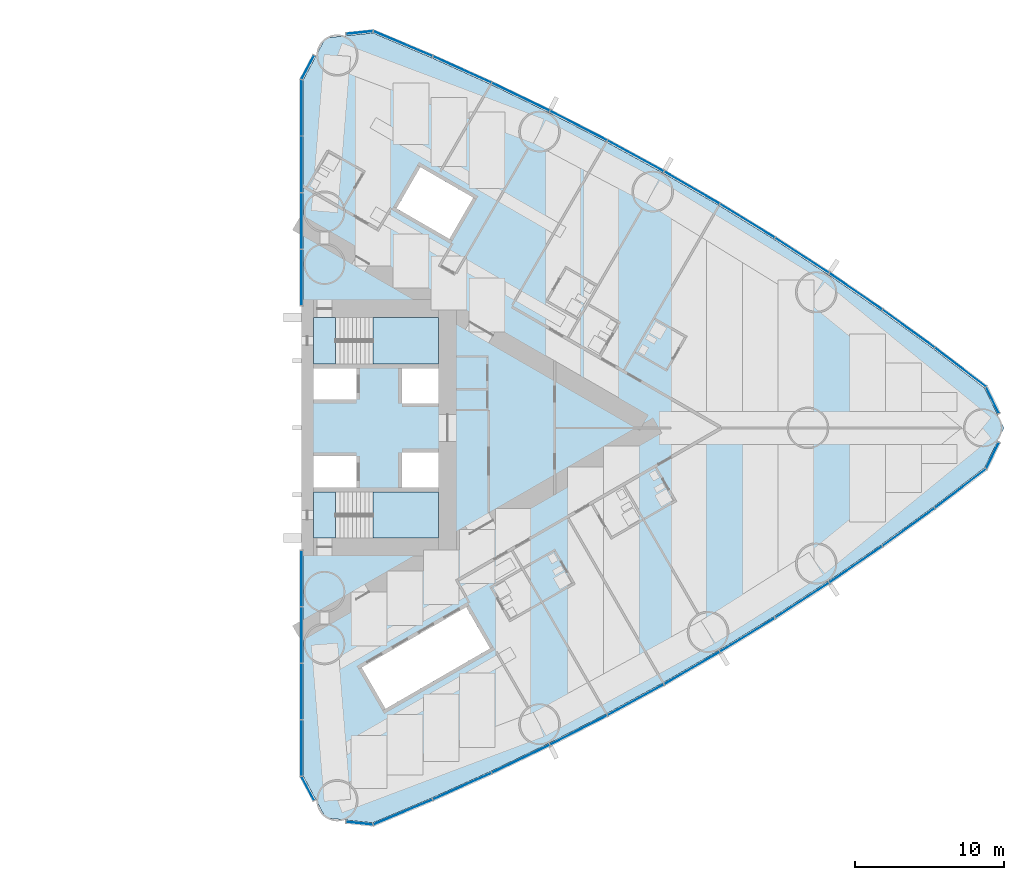
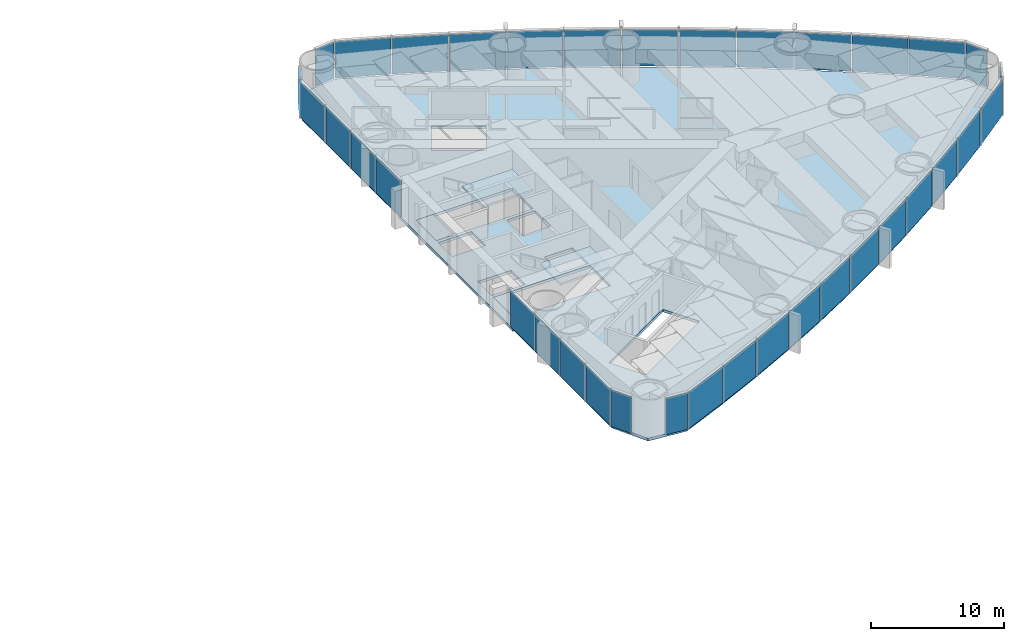
# One storey, part 10 of 19: 36 plates, 5 slabs, 6 elements without a shape of their own.
"""IFC4 building model written with IfcOpenShell, lengths in metres."""

from ifc_helpers import new_model, si_unit, direction, frame, origin, origin_2d, place, context, subcontext, project, spatial, polyline, rectangle, outline, extrude, material, layer, layer_set, type_object, element, aggregate, save


model = new_model("IFC4")

# Units and contexts
model_context = context("Model", 3, precision=1e-05, world=origin(), true_north=direction((0.0, 1.0)))
body_context = subcontext(model_context, "Body", "Model", "MODEL_VIEW")
ifc_project = project(units=[si_unit("LENGTHUNIT", "METRE"), si_unit("AREAUNIT", "SQUARE_METRE"), si_unit("VOLUMEUNIT", "CUBIC_METRE"), si_unit("PLANEANGLEUNIT", "RADIAN"), si_unit("MASSUNIT", "GRAM", prefix="KILO")], contexts=[model_context])

# Site, building, storey
site_placement = place(None, origin())
site = spatial("IfcSite", under=ifc_project, at=site_placement, CompositionType="ELEMENT")
building_placement = place(site_placement, origin())
building = spatial("IfcBuilding", under=site, at=building_placement, Name="Lancet Gate Hotel", CompositionType="ELEMENT")
storey_placement = place(building_placement, frame((0.0, 0.0, 35.5)))
storey = spatial("IfcBuildingStorey", under=building, at=storey_placement, Name="L08", CompositionType="ELEMENT", Elevation=35.5)

# Slab
ifc_material_1 = material(Name="Concrete C50/60", Category="concrete")
ifc_layer_1 = layer(ifc_material_1, 0.25)
ifc_layer_set_1 = layer_set([ifc_layer_1], Name="Floor slab 250")
slab_type_1 = type_object("IfcSlabType", Name="Floor slab 250", PredefinedType="FLOOR", material=ifc_layer_set_1)
slab_1_placement = place(storey_placement, frame((0.0, 0.0, -0.25)))
element("IfcSlab", 1, at=slab_1_placement, inside=storey, type_object=slab_type_1, Name="T2 L08 floor slab", PredefinedType="FLOOR", context=body_context, shape_type="SweptSolid", body=[
    extrude(outline(polyline([(27.5, -8.60009765625), (27.6201171875, -8.60009765625), (27.6201171875, -23.35498046875), (29.12158203125, -26.175537109375), (32.299072265625, -26.5048828125), (36.26708984375, -24.833740234375), (40.2177734375, -23.050048828125), (44.121826171875, -21.16650390625), (47.9765625, -19.18408203125), (51.77978515625, -17.104248046875), (55.528564453125, -14.92822265625), (59.220947265625, -12.657470703125), (62.854248046875, -10.29345703125), (66.42626953125, -7.837890625), (69.934814453125, -5.292236328125), (73.355712890625, -2.67431640625), (74.65576171875, 0.0), (73.355712890625, 2.67431640625), (69.934814453125, 5.292236328125), (66.42626953125, 7.837890625), (62.854248046875, 10.29345703125), (59.220947265625, 12.657470703125), (55.528564453125, 14.92822265625), (51.77978515625, 17.104248046875), (47.9765625, 19.18408203125), (44.121826171875, 21.16650390625), (40.2177734375, 23.050048828125), (36.26708984375, 24.833740234375), (32.299072265625, 26.5048828125), (29.12158203125, 26.175537109375), (27.6201171875, 23.35498046875), (27.6201171875, 8.60009765625), (27.5, 8.60009765625), (27.5, 8.199951171875), (27.5, -8.199951171875), (27.5, -8.60009765625)]), holes=[polyline([(36.699951171875, -7.39990234375), (36.699951171875, -4.300048828125), (28.300048828125, -4.300048828125), (28.300048828125, -7.39990234375), (36.699951171875, -7.39990234375)]), polyline([(28.300048828125, -4.0), (31.199951171875, -4.0), (31.199951171875, -1.89990234375), (28.300048828125, -1.89990234375), (28.300048828125, -4.0)]), polyline([(34.25, -4.0), (36.699951171875, -4.0), (36.699951171875, -1.64990234375), (34.25, -1.64990234375), (34.25, -4.0)]), polyline([(36.699951171875, 1.64990234375), (36.699951171875, 4.0), (34.25, 4.0), (34.25, 1.64990234375), (36.699951171875, 1.64990234375)]), polyline([(28.300048828125, 1.89990234375), (31.199951171875, 1.89990234375), (31.199951171875, 4.0), (28.300048828125, 4.0), (28.300048828125, 1.89990234375)]), polyline([(28.300048828125, 4.300048828125), (36.699951171875, 4.300048828125), (36.699951171875, 7.39990234375), (28.300048828125, 7.39990234375), (28.300048828125, 4.300048828125)]), polyline([(31.549072265625, -16.0810546875), (33.14892578125, -18.85205078125), (40.1640625, -14.802001953125), (38.56396484375, -12.031005859375), (31.549072265625, -16.0810546875)]), polyline([(33.887939453125, 14.73095703125), (37.43798828125, 12.680908203125), (39.0380859375, 15.451904296875), (35.488037109375, 17.501953125), (33.887939453125, 14.73095703125)])]), origin(), (0.0, 0.0, 1.0), 0.25),
])

# Stair, slabs
ifc_material_2 = material(Name="Exit stair 20 risers 1500")
stair_type = type_object("IfcStairType", Name="Exit stair 20 risers 1500", PredefinedType="HALF_TURN_STAIR", material=ifc_material_2)
stair_1_placement = place(storey_placement, origin())
stair_1 = element("IfcStair", 2, at=stair_1_placement, inside=storey, type_object=stair_type, Name="T2 stair 1 L08", PredefinedType="HALF_TURN_STAIR")
ifc_material_3 = material(Name="Concrete C40/50", Category="concrete")
ifc_layer_2 = layer(ifc_material_3, 0.199951171875)
ifc_layer_set_2 = layer_set([ifc_layer_2], Name="Stair landing 200")
slab_type_2 = type_object("IfcSlabType", Name="Stair landing 200", PredefinedType="LANDING", material=ifc_layer_set_2)
slab_2_placement = place(storey_placement, frame((0.0, 0.0, -0.199951171875)))
slab_2 = element("IfcSlab", 3, at=slab_2_placement, type_object=slab_type_2, Name="ST3 landing 1", PredefinedType="LANDING", context=body_context, shape_type="SweptSolid", body=[
    extrude(outline(polyline([(28.300048828125, -7.39990234375), (29.800048828125, -7.39990234375), (29.800048828125, -4.300048828125), (28.300048828125, -4.300048828125), (28.300048828125, -7.39990234375)])), origin(), (0.0, 0.0, 1.0), 0.199951171875),
])
slab_3_placement = place(storey_placement, frame((0.0, 0.0, 1.550048828125)))
slab_3 = element("IfcSlab", 4, at=slab_3_placement, type_object=slab_type_2, Name="ST3 landing 2", PredefinedType="LANDING", context=body_context, shape_type="SweptSolid", body=[
    extrude(outline(polyline([(32.320068359375, -7.39990234375), (36.699951171875, -7.39990234375), (36.699951171875, -4.300048828125), (32.320068359375, -4.300048828125), (32.320068359375, -7.39990234375)])), origin(), (0.0, 0.0, 1.0), 0.199951171875),
])
aggregate(stair_1, [slab_2, slab_3])

stair_2_placement = place(storey_placement, origin())
stair_2 = element("IfcStair", 5, at=stair_2_placement, inside=storey, type_object=stair_type, Name="T2 stair 2 L08", PredefinedType="HALF_TURN_STAIR")
slab_4_placement = place(storey_placement, frame((0.0, 0.0, -0.199951171875)))
slab_4 = element("IfcSlab", 6, at=slab_4_placement, type_object=slab_type_2, Name="ST4 landing 1", PredefinedType="LANDING", context=body_context, shape_type="SweptSolid", body=[
    extrude(outline(polyline([(28.300048828125, 4.300048828125), (29.800048828125, 4.300048828125), (29.800048828125, 7.39990234375), (28.300048828125, 7.39990234375), (28.300048828125, 4.300048828125)])), origin(), (0.0, 0.0, 1.0), 0.199951171875),
])
slab_5_placement = place(storey_placement, frame((0.0, 0.0, 1.550048828125)))
slab_5 = element("IfcSlab", 7, at=slab_5_placement, type_object=slab_type_2, Name="ST4 landing 2", PredefinedType="LANDING", context=body_context, shape_type="SweptSolid", body=[
    extrude(outline(polyline([(32.320068359375, 4.300048828125), (36.699951171875, 4.300048828125), (36.699951171875, 7.39990234375), (32.320068359375, 7.39990234375), (32.320068359375, 4.300048828125)])), origin(), (0.0, 0.0, 1.0), 0.199951171875),
])
aggregate(stair_2, [slab_4, slab_5])

# Curtain wall, plates
ifc_material_4 = material(Name="Aluminium curtain wall", Category="aluminium")
curtain_wall_type = type_object("IfcCurtainWallType", Name="Tower unitised curtain wall", PredefinedType="USERDEFINED", material=ifc_material_4)
curtain_wall_1_placement = place(storey_placement, origin())
curtain_wall_1 = element("IfcCurtainWall", 8, at=curtain_wall_1_placement, inside=storey, type_object=curtain_wall_type, Name="T2 L08 curtain wall 1", ObjectType="UNITISED CURTAIN WALL", PredefinedType="USERDEFINED")
ifc_material_5 = material(Name="Glass double glazed unit 8-16-6", Category="glass")
ifc_layer_3 = layer(ifc_material_5, 0.030029296875)
ifc_layer_set_3 = layer_set([ifc_layer_3], Name="Vision panel double glazed")
plate_type = type_object("IfcPlateType", Name="Vision panel double glazed", PredefinedType="CURTAIN_PANEL", material=ifc_layer_set_3)
plate_1_placement = place(storey_placement, frame((27.5, -10.09814453125, 0.0), z_axis=(0.0, 0.0, 1.0), x_axis=(0.0, -1.0, 0.0)))
plate_1 = element("IfcPlate", 9, at=plate_1_placement, type_object=plate_type, Name="T2 L08 curtain wall 1 panel 1", PredefinedType="CURTAIN_PANEL", context=body_context, shape_type="SweptSolid", body=[
    extrude(rectangle(XDim=3.731201171875, YDim=0.030029296875, at=origin_2d()), origin(), (0.0, 0.0, 1.0), 3.35009765625),
])
plate_2_placement = place(storey_placement, frame((27.5, -13.894287109375, 0.0), z_axis=(0.0, 0.0, 1.0), x_axis=(0.0, -1.0, 0.0)))
plate_2 = element("IfcPlate", 10, at=plate_2_placement, type_object=plate_type, Name="T2 L08 curtain wall 1 panel 2", PredefinedType="CURTAIN_PANEL", context=body_context, shape_type="SweptSolid", body=[
    extrude(rectangle(XDim=3.731201171875, YDim=0.030029296875, at=origin_2d()), origin(), (0.0, 0.0, 1.0), 3.35009765625),
])
plate_3_placement = place(storey_placement, frame((27.5, -17.6904296875, 0.0), z_axis=(0.0, 0.0, 1.0), x_axis=(0.0, -1.0, 0.0)))
plate_3 = element("IfcPlate", 11, at=plate_3_placement, type_object=plate_type, Name="T2 L08 curtain wall 1 panel 3", PredefinedType="CURTAIN_PANEL", context=body_context, shape_type="SweptSolid", body=[
    extrude(rectangle(XDim=3.731201171875, YDim=0.030029296875, at=origin_2d()), origin(), (0.0, 0.0, 1.0), 3.35009765625),
])
plate_4_placement = place(storey_placement, frame((27.5, -21.48681640625, 0.0), z_axis=(0.0, 0.0, 1.0), x_axis=(0.0, -1.0, 0.0)))
plate_4 = element("IfcPlate", 12, at=plate_4_placement, type_object=plate_type, Name="T2 L08 curtain wall 1 panel 4", PredefinedType="CURTAIN_PANEL", context=body_context, shape_type="SweptSolid", body=[
    extrude(rectangle(XDim=3.731201171875, YDim=0.030029296875, at=origin_2d()), origin(), (0.0, 0.0, 1.0), 3.35009765625),
])
plate_5_placement = place(storey_placement, frame((27.933349609375, -24.19873046875, 0.0), z_axis=(0.0, 0.0, 1.0), x_axis=(0.469897827284, -0.882720811987, 0.0)))
plate_5 = element("IfcPlate", 13, at=plate_5_placement, type_object=plate_type, Name="T2 L08 curtain wall 1 panel 5", PredefinedType="CURTAIN_PANEL", context=body_context, shape_type="SweptSolid", body=[
    extrude(rectangle(XDim=1.779052734375, YDim=0.030029296875, at=origin_2d()), origin(), (0.0, 0.0, 1.0), 3.35009765625),
])
aggregate(curtain_wall_1, [plate_1, plate_2, plate_3, plate_4, plate_5])

curtain_wall_2_placement = place(storey_placement, origin())
curtain_wall_2 = element("IfcCurtainWall", 14, at=curtain_wall_2_placement, inside=storey, type_object=curtain_wall_type, Name="T2 L08 curtain wall 2", ObjectType="UNITISED CURTAIN WALL", PredefinedType="USERDEFINED")
plate_6_placement = place(storey_placement, frame((31.400634765625, -26.532470703125, 0.0), z_axis=(0.0, 0.0, 1.0), x_axis=(0.994672262412, -0.10308778001, 0.0)))
plate_6 = element("IfcPlate", 15, at=plate_6_placement, type_object=plate_type, Name="T2 L08 curtain wall 2 panel 1", PredefinedType="CURTAIN_PANEL", context=body_context, shape_type="SweptSolid", body=[
    extrude(rectangle(XDim=1.7783203125, YDim=0.030029296875, at=origin_2d()), origin(), (0.0, 0.0, 1.0), 3.35009765625),
])
plate_7_placement = place(storey_placement, frame((34.316162109375, -25.78564453125, 0.0), z_axis=(0.0, 0.0, 1.0), x_axis=(0.92159330598, 0.38815689917, 0.0)))
plate_7 = element("IfcPlate", 16, at=plate_7_placement, type_object=plate_type, Name="T2 L08 curtain wall 2 panel 2", PredefinedType="CURTAIN_PANEL", context=body_context, shape_type="SweptSolid", body=[
    extrude(rectangle(XDim=4.272705078125, YDim=0.030029296875, at=origin_2d()), origin(), (0.0, 0.0, 1.0), 3.35009765625),
])
plate_8_placement = place(storey_placement, frame((38.291748046875, -24.05126953125, 0.0), z_axis=(0.0, 0.0, 1.0), x_axis=(0.911415640556, 0.41148697446, 0.0)))
plate_8 = element("IfcPlate", 17, at=plate_8_placement, type_object=plate_type, Name="T2 L08 curtain wall 2 panel 3", PredefinedType="CURTAIN_PANEL", context=body_context, shape_type="SweptSolid", body=[
    extrude(rectangle(XDim=4.272705078125, YDim=0.030029296875, at=origin_2d()), origin(), (0.0, 0.0, 1.0), 3.35009765625),
])
plate_9_placement = place(storey_placement, frame((42.221923828125, -22.21630859375, 0.0), z_axis=(0.0, 0.0, 1.0), x_axis=(0.90064748964, 0.434550456686, 0.0)))
plate_9 = element("IfcPlate", 18, at=plate_9_placement, type_object=plate_type, Name="T2 L08 curtain wall 2 panel 4", PredefinedType="CURTAIN_PANEL", context=body_context, shape_type="SweptSolid", body=[
    extrude(rectangle(XDim=4.272705078125, YDim=0.030029296875, at=origin_2d()), origin(), (0.0, 0.0, 1.0), 3.35009765625),
])
plate_10_placement = place(storey_placement, frame((46.10400390625, -20.281982421875, 0.0), z_axis=(0.0, 0.0, 1.0), x_axis=(0.889295829671, 0.457332403541, 0.0)))
plate_10 = element("IfcPlate", 19, at=plate_10_placement, type_object=plate_type, Name="T2 L08 curtain wall 2 panel 5", PredefinedType="CURTAIN_PANEL", context=body_context, shape_type="SweptSolid", body=[
    extrude(rectangle(XDim=4.272705078125, YDim=0.030029296875, at=origin_2d()), origin(), (0.0, 0.0, 1.0), 3.35009765625),
])
plate_11_placement = place(storey_placement, frame((49.935791015625, -18.249267578125, 0.0), z_axis=(0.0, 0.0, 1.0), x_axis=(0.877368015134, 0.47981805512, 0.0)))
plate_11 = element("IfcPlate", 20, at=plate_11_placement, type_object=plate_type, Name="T2 L08 curtain wall 2 panel 6", PredefinedType="CURTAIN_PANEL", context=body_context, shape_type="SweptSolid", body=[
    extrude(rectangle(XDim=4.272705078125, YDim=0.030029296875, at=origin_2d()), origin(), (0.0, 0.0, 1.0), 3.35009765625),
])
plate_12_placement = place(storey_placement, frame((53.71435546875, -16.119873046875, 0.0), z_axis=(0.0, 0.0, 1.0), x_axis=(0.864871773788, 0.501992843479, 0.0)))
plate_12 = element("IfcPlate", 21, at=plate_12_placement, type_object=plate_type, Name="T2 L08 curtain wall 2 panel 7", PredefinedType="CURTAIN_PANEL", context=body_context, shape_type="SweptSolid", body=[
    extrude(rectangle(XDim=4.272705078125, YDim=0.030029296875, at=origin_2d()), origin(), (0.0, 0.0, 1.0), 3.35009765625),
])
plate_13_placement = place(storey_placement, frame((57.437744140625, -13.89501953125, 0.0), z_axis=(0.0, 0.0, 1.0), x_axis=(0.851815201664, 0.523842402077, 0.0)))
plate_13 = element("IfcPlate", 22, at=plate_13_placement, type_object=plate_type, Name="T2 L08 curtain wall 2 panel 8", PredefinedType="CURTAIN_PANEL", context=body_context, shape_type="SweptSolid", body=[
    extrude(rectangle(XDim=4.272705078125, YDim=0.030029296875, at=origin_2d()), origin(), (0.0, 0.0, 1.0), 3.35009765625),
])
plate_14_placement = place(storey_placement, frame((61.10302734375, -11.576171875, 0.0), z_axis=(0.0, 0.0, 1.0), x_axis=(0.838206757819, 0.54535257508, 0.0)))
plate_14 = element("IfcPlate", 23, at=plate_14_placement, type_object=plate_type, Name="T2 L08 curtain wall 2 panel 9", PredefinedType="CURTAIN_PANEL", context=body_context, shape_type="SweptSolid", body=[
    extrude(rectangle(XDim=4.272705078125, YDim=0.030029296875, at=origin_2d()), origin(), (0.0, 0.0, 1.0), 3.35009765625),
])
plate_15_placement = place(storey_placement, frame((64.708251953125, -9.16455078125, 0.0), z_axis=(0.0, 0.0, 1.0), x_axis=(0.824055258853, 0.566509426538, 0.0)))
plate_15 = element("IfcPlate", 24, at=plate_15_placement, type_object=plate_type, Name="T2 L08 curtain wall 2 panel 10", PredefinedType="CURTAIN_PANEL", context=body_context, shape_type="SweptSolid", body=[
    extrude(rectangle(XDim=4.272705078125, YDim=0.030029296875, at=origin_2d()), origin(), (0.0, 0.0, 1.0), 3.35009765625),
])
plate_16_placement = place(storey_placement, frame((68.2509765625, -6.662109375, 0.0), z_axis=(0.0, 0.0, 1.0), x_axis=(0.809369873203, 0.587299249405, 0.0)))
plate_16 = element("IfcPlate", 25, at=plate_16_placement, type_object=plate_type, Name="T2 L08 curtain wall 2 panel 11", PredefinedType="CURTAIN_PANEL", context=body_context, shape_type="SweptSolid", body=[
    extrude(rectangle(XDim=4.272705078125, YDim=0.030029296875, at=origin_2d()), origin(), (0.0, 0.0, 1.0), 3.35009765625),
])
plate_17_placement = place(storey_placement, frame((71.72900390625, -4.0703125, 0.0), z_axis=(0.0, 0.0, 1.0), x_axis=(0.794160115195, 0.607708574428, 0.0)))
plate_17 = element("IfcPlate", 26, at=plate_17_placement, type_object=plate_type, Name="T2 L08 curtain wall 2 panel 12", PredefinedType="CURTAIN_PANEL", context=body_context, shape_type="SweptSolid", body=[
    extrude(rectangle(XDim=4.272705078125, YDim=0.030029296875, at=origin_2d()), origin(), (0.0, 0.0, 1.0), 3.35009765625),
])
plate_18_placement = place(storey_placement, frame((73.88671875, -1.856201171875, 0.0), z_axis=(0.0, 0.0, 1.0), x_axis=(0.437169070119, 0.899379343843, 0.0)))
plate_18 = element("IfcPlate", 27, at=plate_18_placement, type_object=plate_type, Name="T2 L08 curtain wall 2 panel 13", PredefinedType="CURTAIN_PANEL", context=body_context, shape_type="SweptSolid", body=[
    extrude(rectangle(XDim=1.92724609375, YDim=0.030029296875, at=origin_2d()), origin(), (0.0, 0.0, 1.0), 3.35009765625),
])
aggregate(curtain_wall_2, [plate_6, plate_7, plate_8, plate_9, plate_10, plate_11, plate_12, plate_13, plate_14, plate_15, plate_16, plate_17, plate_18])

curtain_wall_3_placement = place(storey_placement, origin())
curtain_wall_3 = element("IfcCurtainWall", 28, at=curtain_wall_3_placement, inside=storey, type_object=curtain_wall_type, Name="T2 L08 curtain wall 3", ObjectType="UNITISED CURTAIN WALL", PredefinedType="USERDEFINED")
plate_19_placement = place(storey_placement, frame((73.88671875, 1.856201171875, 0.0), z_axis=(0.0, 0.0, 1.0), x_axis=(-0.437169070119, 0.899379343843, 0.0)))
plate_19 = element("IfcPlate", 29, at=plate_19_placement, type_object=plate_type, Name="T2 L08 curtain wall 3 panel 1", PredefinedType="CURTAIN_PANEL", context=body_context, shape_type="SweptSolid", body=[
    extrude(rectangle(XDim=1.92724609375, YDim=0.030029296875, at=origin_2d()), origin(), (0.0, 0.0, 1.0), 3.35009765625),
])
plate_20_placement = place(storey_placement, frame((71.72900390625, 4.0703125, 0.0), z_axis=(0.0, 0.0, 1.0), x_axis=(-0.794160115195, 0.607708574428, 0.0)))
plate_20 = element("IfcPlate", 30, at=plate_20_placement, type_object=plate_type, Name="T2 L08 curtain wall 3 panel 2", PredefinedType="CURTAIN_PANEL", context=body_context, shape_type="SweptSolid", body=[
    extrude(rectangle(XDim=4.272705078125, YDim=0.030029296875, at=origin_2d()), origin(), (0.0, 0.0, 1.0), 3.35009765625),
])
plate_21_placement = place(storey_placement, frame((68.2509765625, 6.662109375, 0.0), z_axis=(0.0, 0.0, 1.0), x_axis=(-0.809369873203, 0.587299249405, 0.0)))
plate_21 = element("IfcPlate", 31, at=plate_21_placement, type_object=plate_type, Name="T2 L08 curtain wall 3 panel 3", PredefinedType="CURTAIN_PANEL", context=body_context, shape_type="SweptSolid", body=[
    extrude(rectangle(XDim=4.272705078125, YDim=0.030029296875, at=origin_2d()), origin(), (0.0, 0.0, 1.0), 3.35009765625),
])
plate_22_placement = place(storey_placement, frame((64.708251953125, 9.16455078125, 0.0), z_axis=(0.0, 0.0, 1.0), x_axis=(-0.824055258853, 0.566509426538, 0.0)))
plate_22 = element("IfcPlate", 32, at=plate_22_placement, type_object=plate_type, Name="T2 L08 curtain wall 3 panel 4", PredefinedType="CURTAIN_PANEL", context=body_context, shape_type="SweptSolid", body=[
    extrude(rectangle(XDim=4.272705078125, YDim=0.030029296875, at=origin_2d()), origin(), (0.0, 0.0, 1.0), 3.35009765625),
])
plate_23_placement = place(storey_placement, frame((61.10302734375, 11.576171875, 0.0), z_axis=(0.0, 0.0, 1.0), x_axis=(-0.838206757819, 0.54535257508, 0.0)))
plate_23 = element("IfcPlate", 33, at=plate_23_placement, type_object=plate_type, Name="T2 L08 curtain wall 3 panel 5", PredefinedType="CURTAIN_PANEL", context=body_context, shape_type="SweptSolid", body=[
    extrude(rectangle(XDim=4.272705078125, YDim=0.030029296875, at=origin_2d()), origin(), (0.0, 0.0, 1.0), 3.35009765625),
])
plate_24_placement = place(storey_placement, frame((57.437744140625, 13.89501953125, 0.0), z_axis=(0.0, 0.0, 1.0), x_axis=(-0.851815201664, 0.523842402077, 0.0)))
plate_24 = element("IfcPlate", 34, at=plate_24_placement, type_object=plate_type, Name="T2 L08 curtain wall 3 panel 6", PredefinedType="CURTAIN_PANEL", context=body_context, shape_type="SweptSolid", body=[
    extrude(rectangle(XDim=4.272705078125, YDim=0.030029296875, at=origin_2d()), origin(), (0.0, 0.0, 1.0), 3.35009765625),
])
plate_25_placement = place(storey_placement, frame((53.71435546875, 16.119873046875, 0.0), z_axis=(0.0, 0.0, 1.0), x_axis=(-0.864871773788, 0.501992843479, 0.0)))
plate_25 = element("IfcPlate", 35, at=plate_25_placement, type_object=plate_type, Name="T2 L08 curtain wall 3 panel 7", PredefinedType="CURTAIN_PANEL", context=body_context, shape_type="SweptSolid", body=[
    extrude(rectangle(XDim=4.272705078125, YDim=0.030029296875, at=origin_2d()), origin(), (0.0, 0.0, 1.0), 3.35009765625),
])
plate_26_placement = place(storey_placement, frame((49.935791015625, 18.249267578125, 0.0), z_axis=(0.0, 0.0, 1.0), x_axis=(-0.877368015134, 0.47981805512, 0.0)))
plate_26 = element("IfcPlate", 36, at=plate_26_placement, type_object=plate_type, Name="T2 L08 curtain wall 3 panel 8", PredefinedType="CURTAIN_PANEL", context=body_context, shape_type="SweptSolid", body=[
    extrude(rectangle(XDim=4.272705078125, YDim=0.030029296875, at=origin_2d()), origin(), (0.0, 0.0, 1.0), 3.35009765625),
])
plate_27_placement = place(storey_placement, frame((46.10400390625, 20.281982421875, 0.0), z_axis=(0.0, 0.0, 1.0), x_axis=(-0.889295829671, 0.457332403541, 0.0)))
plate_27 = element("IfcPlate", 37, at=plate_27_placement, type_object=plate_type, Name="T2 L08 curtain wall 3 panel 9", PredefinedType="CURTAIN_PANEL", context=body_context, shape_type="SweptSolid", body=[
    extrude(rectangle(XDim=4.272705078125, YDim=0.030029296875, at=origin_2d()), origin(), (0.0, 0.0, 1.0), 3.35009765625),
])
plate_28_placement = place(storey_placement, frame((42.221923828125, 22.21630859375, 0.0), z_axis=(0.0, 0.0, 1.0), x_axis=(-0.90064748964, 0.434550456686, 0.0)))
plate_28 = element("IfcPlate", 38, at=plate_28_placement, type_object=plate_type, Name="T2 L08 curtain wall 3 panel 10", PredefinedType="CURTAIN_PANEL", context=body_context, shape_type="SweptSolid", body=[
    extrude(rectangle(XDim=4.272705078125, YDim=0.030029296875, at=origin_2d()), origin(), (0.0, 0.0, 1.0), 3.35009765625),
])
plate_29_placement = place(storey_placement, frame((38.291748046875, 24.05126953125, 0.0), z_axis=(0.0, 0.0, 1.0), x_axis=(-0.911415640556, 0.41148697446, 0.0)))
plate_29 = element("IfcPlate", 39, at=plate_29_placement, type_object=plate_type, Name="T2 L08 curtain wall 3 panel 11", PredefinedType="CURTAIN_PANEL", context=body_context, shape_type="SweptSolid", body=[
    extrude(rectangle(XDim=4.272705078125, YDim=0.030029296875, at=origin_2d()), origin(), (0.0, 0.0, 1.0), 3.35009765625),
])
plate_30_placement = place(storey_placement, frame((34.316162109375, 25.78564453125, 0.0), z_axis=(0.0, 0.0, 1.0), x_axis=(-0.92159330598, 0.38815689917, 0.0)))
plate_30 = element("IfcPlate", 40, at=plate_30_placement, type_object=plate_type, Name="T2 L08 curtain wall 3 panel 12", PredefinedType="CURTAIN_PANEL", context=body_context, shape_type="SweptSolid", body=[
    extrude(rectangle(XDim=4.272705078125, YDim=0.030029296875, at=origin_2d()), origin(), (0.0, 0.0, 1.0), 3.35009765625),
])
plate_31_placement = place(storey_placement, frame((31.400634765625, 26.532470703125, 0.0), z_axis=(0.0, 0.0, 1.0), x_axis=(-0.994672262412, -0.10308778001, 0.0)))
plate_31 = element("IfcPlate", 41, at=plate_31_placement, type_object=plate_type, Name="T2 L08 curtain wall 3 panel 13", PredefinedType="CURTAIN_PANEL", context=body_context, shape_type="SweptSolid", body=[
    extrude(rectangle(XDim=1.7783203125, YDim=0.030029296875, at=origin_2d()), origin(), (0.0, 0.0, 1.0), 3.35009765625),
])
aggregate(curtain_wall_3, [plate_19, plate_20, plate_21, plate_22, plate_23, plate_24, plate_25, plate_26, plate_27, plate_28, plate_29, plate_30, plate_31])

curtain_wall_4_placement = place(storey_placement, origin())
curtain_wall_4 = element("IfcCurtainWall", 42, at=curtain_wall_4_placement, inside=storey, type_object=curtain_wall_type, Name="T2 L08 curtain wall 4", ObjectType="UNITISED CURTAIN WALL", PredefinedType="USERDEFINED")
plate_32_placement = place(storey_placement, frame((27.933349609375, 24.19873046875, 0.0), z_axis=(0.0, 0.0, 1.0), x_axis=(-0.469897827284, -0.882720811987, 0.0)))
plate_32 = element("IfcPlate", 43, at=plate_32_placement, type_object=plate_type, Name="T2 L08 curtain wall 4 panel 1", PredefinedType="CURTAIN_PANEL", context=body_context, shape_type="SweptSolid", body=[
    extrude(rectangle(XDim=1.779052734375, YDim=0.030029296875, at=origin_2d()), origin(), (0.0, 0.0, 1.0), 3.35009765625),
])
plate_33_placement = place(storey_placement, frame((27.5, 21.48681640625, 0.0), z_axis=(0.0, 0.0, 1.0), x_axis=(0.0, -1.0, 0.0)))
plate_33 = element("IfcPlate", 44, at=plate_33_placement, type_object=plate_type, Name="T2 L08 curtain wall 4 panel 2", PredefinedType="CURTAIN_PANEL", context=body_context, shape_type="SweptSolid", body=[
    extrude(rectangle(XDim=3.731201171875, YDim=0.030029296875, at=origin_2d()), origin(), (0.0, 0.0, 1.0), 3.35009765625),
])
plate_34_placement = place(storey_placement, frame((27.5, 17.6904296875, 0.0), z_axis=(0.0, 0.0, 1.0), x_axis=(0.0, -1.0, 0.0)))
plate_34 = element("IfcPlate", 45, at=plate_34_placement, type_object=plate_type, Name="T2 L08 curtain wall 4 panel 3", PredefinedType="CURTAIN_PANEL", context=body_context, shape_type="SweptSolid", body=[
    extrude(rectangle(XDim=3.731201171875, YDim=0.030029296875, at=origin_2d()), origin(), (0.0, 0.0, 1.0), 3.35009765625),
])
plate_35_placement = place(storey_placement, frame((27.5, 13.894287109375, 0.0), z_axis=(0.0, 0.0, 1.0), x_axis=(0.0, -1.0, 0.0)))
plate_35 = element("IfcPlate", 46, at=plate_35_placement, type_object=plate_type, Name="T2 L08 curtain wall 4 panel 4", PredefinedType="CURTAIN_PANEL", context=body_context, shape_type="SweptSolid", body=[
    extrude(rectangle(XDim=3.731201171875, YDim=0.030029296875, at=origin_2d()), origin(), (0.0, 0.0, 1.0), 3.35009765625),
])
plate_36_placement = place(storey_placement, frame((27.5, 10.09814453125, 0.0), z_axis=(0.0, 0.0, 1.0), x_axis=(0.0, -1.0, 0.0)))
plate_36 = element("IfcPlate", 47, at=plate_36_placement, type_object=plate_type, Name="T2 L08 curtain wall 4 panel 5", PredefinedType="CURTAIN_PANEL", context=body_context, shape_type="SweptSolid", body=[
    extrude(rectangle(XDim=3.731201171875, YDim=0.030029296875, at=origin_2d()), origin(), (0.0, 0.0, 1.0), 3.35009765625),
])
aggregate(curtain_wall_4, [plate_32, plate_33, plate_34, plate_35, plate_36])

save(model, "model.ifc")
